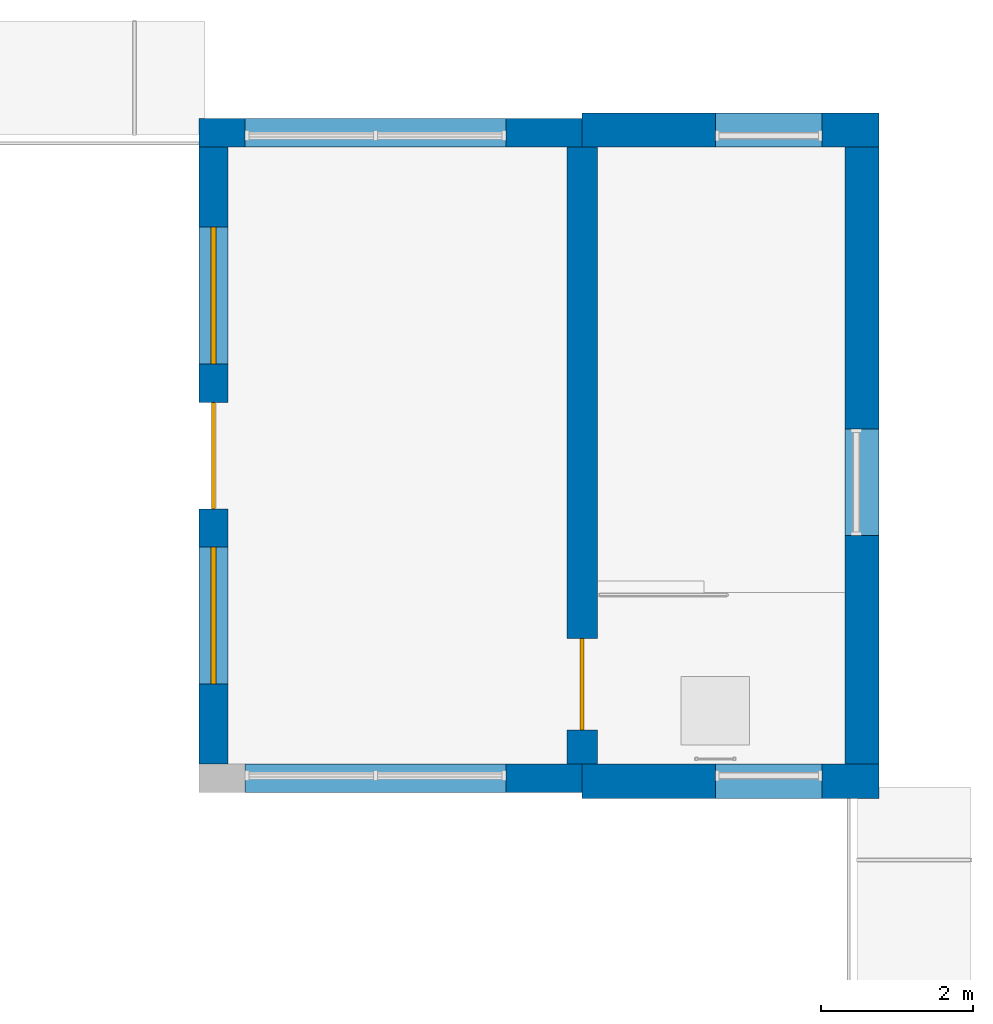
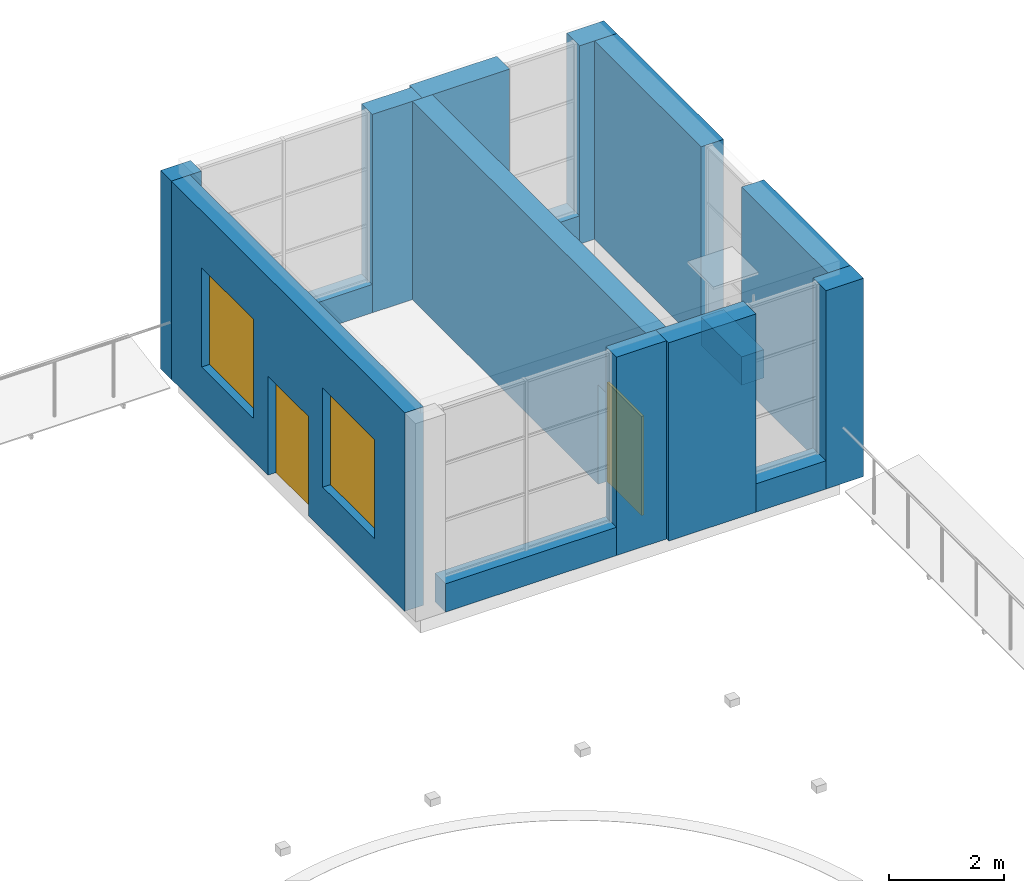
# One storey, part 50 of 66: 16 walls, 2 doors, 2 windows, 4 openings.
"""IFC4 building model written with IfcOpenShell, lengths in metres."""

from ifc_helpers import new_model, si_unit, direction, frame, frame_2d, origin, place, context, subcontext, project, spatial, rectangle, extrude, material, layer, layer_set, type_object, element, fill, save


model = new_model("IFC4")

# Units and contexts
model_context = context("Model", 3, precision=1e-05, world=origin(), true_north=direction((0.0, 1.0)))
body_context = subcontext(model_context, "Body", "Model", "MODEL_VIEW")
ifc_project = project(units=[si_unit("LENGTHUNIT", "METRE"), si_unit("AREAUNIT", "SQUARE_METRE"), si_unit("VOLUMEUNIT", "CUBIC_METRE"), si_unit("PLANEANGLEUNIT", "RADIAN"), si_unit("MASSUNIT", "GRAM", prefix="KILO")], contexts=[model_context])

# Site, building, storey
site_placement = place(None, origin())
site = spatial("IfcSite", under=ifc_project, at=site_placement, CompositionType="ELEMENT")
building_placement = place(site_placement, origin())
building = spatial("IfcBuilding", under=site, at=building_placement, Name="Yavir Park General Hospital", CompositionType="ELEMENT")
storey_placement = place(building_placement, frame((0.0, 0.0, 8.39990234375)))
storey = spatial("IfcBuildingStorey", under=building, at=storey_placement, Name="L02", CompositionType="ELEMENT", Elevation=8.39990234375)

# Walls
ifc_material_1 = material(Name="Autoclaved aerated block, 150 mm mineral wool and sand-coloured mineral render")
ifc_layer_1 = layer(ifc_material_1, 0.375)
ifc_layer_set_1 = layer_set([ifc_layer_1], Name="Autoclaved aerated block, 150 mm mineral wool and sand-coloured mineral render")
wall_type_1 = type_object("IfcWallType", Name="Mineral render clinical wall 375, E 30", PredefinedType="SOLIDWALL", material=ifc_layer_set_1)
wall_1_placement = place(storey_placement, frame((163.39990234375, 109.16259765625, 0.0), z_axis=(0.0, 0.0, 1.0), x_axis=(1.0, 0.0, 0.0)))
element("IfcWall", 1, at=wall_1_placement, inside=storey, type_object=wall_type_1, Name="XW1 L02-089", PredefinedType="SOLIDWALL", context=body_context, shape_type="SweptSolid", body=[
    extrude(rectangle(XDim=1.0, YDim=0.375, at=frame_2d((0.5, 0.0))), origin(), (0.0, 0.0, 1.0), 4.2001953125),
])
wall_2_placement = place(storey_placement, frame((159.97509765625, 109.16259765625, 0.0), z_axis=(0.0, 0.0, 1.0), x_axis=(1.0, 0.0, 0.0)))
element("IfcWall", 2, at=wall_2_placement, inside=storey, type_object=wall_type_1, Name="XW1 L02-090", PredefinedType="SOLIDWALL", context=body_context, shape_type="SweptSolid", body=[
    extrude(rectangle(XDim=3.4248046875, YDim=0.375, at=frame_2d((1.71240234375, 0.0))), origin(), (0.0, 0.0, 1.0), 0.60009765625),
])
wall_3_placement = place(storey_placement, frame((159.375, 117.637451171875, 0.0), z_axis=(0.0, 0.0, 1.0), x_axis=(1.0, 0.0, 0.0)))
element("IfcWall", 3, at=wall_3_placement, inside=storey, type_object=wall_type_1, Name="XW1 L02-105", PredefinedType="SOLIDWALL", context=body_context, shape_type="SweptSolid", body=[
    extrude(rectangle(XDim=0.60009765625, YDim=0.375, at=frame_2d((0.300048828125, 0.0))), origin(), (0.0, 0.0, 1.0), 4.2001953125),
])
wall_4_placement = place(storey_placement, frame((163.39990234375, 117.637451171875, 0.0), z_axis=(0.0, 0.0, 1.0), x_axis=(1.0, 0.0, 0.0)))
element("IfcWall", 4, at=wall_4_placement, inside=storey, type_object=wall_type_1, Name="XW1 L02-106", PredefinedType="SOLIDWALL", context=body_context, shape_type="SweptSolid", body=[
    extrude(rectangle(XDim=1.0, YDim=0.375, at=frame_2d((0.5, 0.0))), origin(), (0.0, 0.0, 1.0), 4.2001953125),
])
wall_5_placement = place(storey_placement, frame((159.97509765625, 117.637451171875, 0.0), z_axis=(0.0, 0.0, 1.0), x_axis=(1.0, 0.0, 0.0)))
element("IfcWall", 5, at=wall_5_placement, inside=storey, type_object=wall_type_1, Name="XW1 L02-107", PredefinedType="SOLIDWALL", context=body_context, shape_type="SweptSolid", body=[
    extrude(rectangle(XDim=3.4248046875, YDim=0.375, at=frame_2d((1.71240234375, 0.0))), origin(), (0.0, 0.0, 1.0), 0.60009765625),
])

# Wall, openings, door, windows
wall_6_placement = place(storey_placement, frame((159.5625, 109.35009765625, 0.0), z_axis=(0.0, 0.0, 1.0), x_axis=(0.0, 1.0, 0.0)))
wall_6 = element("IfcWall", 6, at=wall_6_placement, inside=storey, type_object=wall_type_1, Name="XW1 L02-158", PredefinedType="SOLIDWALL", context=body_context, shape_type="SweptSolid", body=[
    extrude(rectangle(XDim=8.099853515625, YDim=0.375, at=frame_2d((4.0498046875, 0.0))), origin(), (0.0, 0.0, 1.0), 4.2001953125),
])
opening_1_placement = place(wall_6_placement, frame((1.050048828125, 0.0, 0.89990234375)))
opening_1 = element("IfcOpeningElement", 7, at=opening_1_placement, cuts=wall_6, Name="Opening WG2", PredefinedType="OPENING", context=body_context, shape_type="SweptSolid", body=[
    extrude(rectangle(XDim=1.800048828125, YDim=2.10009765625, at=frame_2d((0.89990234375, 1.050048828125))), frame((0.0, 0.197509765625, 0.0), z_axis=(0.0, -1.0, 0.0), x_axis=(1.0, 0.0, 0.0)), (0.0, 0.0, 1.0), 0.39501953125),
])
opening_2_placement = place(wall_6_placement, frame((5.25, 0.0, 0.89990234375)))
opening_2 = element("IfcOpeningElement", 8, at=opening_2_placement, cuts=wall_6, Name="Opening WG2", PredefinedType="OPENING", context=body_context, shape_type="SweptSolid", body=[
    extrude(rectangle(XDim=1.800048828125, YDim=2.10009765625, at=frame_2d((0.89990234375, 1.050048828125))), frame((0.0, 0.197509765625, 0.0), z_axis=(0.0, -1.0, 0.0), x_axis=(1.0, 0.0, 0.0)), (0.0, 0.0, 1.0), 0.39501953125),
])
opening_3_placement = place(wall_6_placement, frame((3.35009765625, 0.0, 0.0)))
opening_3 = element("IfcOpeningElement", 9, at=opening_3_placement, cuts=wall_6, Name="Opening L02.X02", PredefinedType="OPENING", context=body_context, shape_type="SweptSolid", body=[
    extrude(rectangle(XDim=1.39990234375, YDim=2.10009765625, at=frame_2d((0.699951171875, 1.050048828125))), frame((0.0, 0.197509765625, 0.0), z_axis=(0.0, -1.0, 0.0), x_axis=(1.0, 0.0, 0.0)), (0.0, 0.0, 1.0), 0.39501953125),
])
ifc_material_2 = material(Name="Steel frame, fire-resisting timber leaves", Category="steel")
door_type_1 = type_object("IfcDoorType", Name="Double fire door 1400 x 2100, EI 60", OperationType="DOUBLE_DOOR_SINGLE_SWING", PredefinedType="DOOR", material=ifc_material_2)
door_1_placement = place(opening_3_placement, origin())
door_1 = element("IfcDoor", 10, at=door_1_placement, inside=storey, type_object=door_type_1, Name="L02.X02", OperationType="SINGLE_SWING_LEFT", OverallHeight=2.10009765625, OverallWidth=1.39990234375, PredefinedType="DOOR", context=body_context, shape_type="SweptSolid", body=[
    extrude(rectangle(XDim=1.39990234375, YDim=2.10009765625, at=frame_2d((0.699951171875, 1.050048828125))), frame((0.0, 0.02490234375, 0.0), z_axis=(0.0, -1.0, 0.0), x_axis=(1.0, 0.0, 0.0)), (0.0, 0.0, 1.0), 0.050048828125),
])
fill(opening_3, door_1)
ifc_material_3 = material(Name="Aluminium frame, double glazed unit", Category="aluminium")
window_type = type_object("IfcWindowType", Name="Tall single-bay window 1800 x 2100", PartitioningType="DOUBLE_PANEL_VERTICAL", PredefinedType="WINDOW", material=ifc_material_3)
window_1_placement = place(opening_1_placement, origin())
window_1 = element("IfcWindow", 11, at=window_1_placement, inside=storey, type_object=window_type, Name="WG2 L02-068", OverallHeight=2.10009765625, OverallWidth=1.800048828125, PartitioningType="DOUBLE_PANEL_VERTICAL", PredefinedType="WINDOW", context=body_context, shape_type="SweptSolid", body=[
    extrude(rectangle(XDim=1.800048828125, YDim=2.10009765625, at=frame_2d((0.89990234375, 1.050048828125))), frame((0.0, 0.030029296875, 0.0), z_axis=(0.0, -1.0, 0.0), x_axis=(1.0, 0.0, 0.0)), (0.0, 0.0, 1.0), 0.06005859375),
])
fill(opening_1, window_1)
window_2_placement = place(opening_2_placement, origin())
window_2 = element("IfcWindow", 12, at=window_2_placement, inside=storey, type_object=window_type, Name="WG2 L02-069", OverallHeight=2.10009765625, OverallWidth=1.800048828125, PartitioningType="DOUBLE_PANEL_VERTICAL", PredefinedType="WINDOW", context=body_context, shape_type="SweptSolid", body=[
    extrude(rectangle(XDim=1.800048828125, YDim=2.10009765625, at=frame_2d((0.89990234375, 1.050048828125))), frame((0.0, 0.030029296875, 0.0), z_axis=(0.0, -1.0, 0.0), x_axis=(1.0, 0.0, 0.0)), (0.0, 0.0, 1.0), 0.06005859375),
])
fill(opening_2, window_2)

# Wall, opening, door
ifc_material_4 = material(Name="Concrete C35/45", Category="concrete")
ifc_layer_2 = layer(ifc_material_4, 0.39990234375)
ifc_layer_set_2 = layer_set([ifc_layer_2], Name="Concrete C35/45")
wall_type_2 = type_object("IfcWallType", Name="Reinforced concrete core wall 400, REI 150", PredefinedType="SHEAR", material=ifc_layer_set_2)
wall_7_placement = place(storey_placement, frame((164.39990234375, 109.35009765625, 0.0), z_axis=(0.0, 0.0, 1.0), x_axis=(0.0, 1.0, 0.0)))
wall_7 = element("IfcWall", 13, at=wall_7_placement, inside=storey, type_object=wall_type_2, Name="CW40 L02-344", PredefinedType="SHEAR", context=body_context, shape_type="SweptSolid", body=[
    extrude(rectangle(XDim=8.099853515625, YDim=0.39990234375, at=frame_2d((4.0498046875, 0.0))), origin(), (0.0, 0.0, 1.0), 4.2001953125),
])
opening_4_placement = place(wall_7_placement, frame((0.449951171875, 0.0, 0.0)))
opening_4 = element("IfcOpeningElement", 14, at=opening_4_placement, cuts=wall_7, Name="Opening L02.D193", PredefinedType="OPENING", context=body_context, shape_type="SweptSolid", body=[
    extrude(rectangle(XDim=1.199951171875, YDim=2.10009765625, at=frame_2d((0.60009765625, 1.050048828125))), frame((0.0, 0.2099609375, 0.0), z_axis=(0.0, -1.0, 0.0), x_axis=(1.0, 0.0, 0.0)), (0.0, 0.0, 1.0), 0.419921875),
])
ifc_material_5 = material(Name="Steel frame, fire-resisting timber leaf", Category="steel")
door_type_2 = type_object("IfcDoorType", Name="Fire door 1200 x 2100, EI 60", OperationType="SINGLE_SWING_LEFT", PredefinedType="DOOR", material=ifc_material_5)
door_2_placement = place(opening_4_placement, origin())
door_2 = element("IfcDoor", 15, at=door_2_placement, inside=storey, type_object=door_type_2, Name="L02.D193", OperationType="SINGLE_SWING_LEFT", OverallHeight=2.10009765625, OverallWidth=1.199951171875, PredefinedType="DOOR", context=body_context, shape_type="SweptSolid", body=[
    extrude(rectangle(XDim=1.199951171875, YDim=2.10009765625, at=frame_2d((0.60009765625, 1.050048828125))), frame((0.0, 0.02490234375, 0.0), z_axis=(0.0, -1.0, 0.0), x_axis=(1.0, 0.0, 0.0)), (0.0, 0.0, 1.0), 0.050048828125),
])
fill(opening_4, door_2)

# Walls
ifc_material_6 = material(Name="Concrete C30/37 precast panel with 150 mm mineral wool insulation", Category="concrete")
ifc_layer_3 = layer(ifc_material_6, 0.449951171875)
ifc_layer_set_3 = layer_set([ifc_layer_3], Name="Concrete C30/37 precast panel with 150 mm mineral wool insulation")
wall_type_3 = type_object("IfcWallType", Name="Stair enclosure wall 450, REI 150", PredefinedType="SOLIDWALL", material=ifc_layer_set_3)
wall_8_placement = place(storey_placement, frame((164.39990234375, 109.125, 0.0), z_axis=(0.0, 0.0, 1.0), x_axis=(1.0, 0.0, 0.0)))
element("IfcWall", 16, at=wall_8_placement, inside=storey, type_object=wall_type_3, Name="XW6 L02-091", PredefinedType="SOLIDWALL", context=body_context, shape_type="SweptSolid", body=[
    extrude(rectangle(XDim=1.75, YDim=0.449951171875, at=frame_2d((0.875, 0.0))), origin(), (0.0, 0.0, 1.0), 4.2001953125),
])
wall_9_placement = place(storey_placement, frame((167.550048828125, 109.125, 0.0), z_axis=(0.0, 0.0, 1.0), x_axis=(1.0, 0.0, 0.0)))
element("IfcWall", 17, at=wall_9_placement, inside=storey, type_object=wall_type_3, Name="XW6 L02-092", PredefinedType="SOLIDWALL", context=body_context, shape_type="SweptSolid", body=[
    extrude(rectangle(XDim=0.75, YDim=0.449951171875, at=frame_2d((0.375, 0.0))), origin(), (0.0, 0.0, 1.0), 4.2001953125),
])
wall_10_placement = place(storey_placement, frame((166.14990234375, 109.125, 0.0), z_axis=(0.0, 0.0, 1.0), x_axis=(1.0, 0.0, 0.0)))
element("IfcWall", 18, at=wall_10_placement, inside=storey, type_object=wall_type_3, Name="XW6 L02-093", PredefinedType="SOLIDWALL", context=body_context, shape_type="SweptSolid", body=[
    extrude(rectangle(XDim=1.400146484375, YDim=0.449951171875, at=frame_2d((0.7001953125, 0.0))), origin(), (0.0, 0.0, 1.0), 0.60009765625),
])
wall_11_placement = place(storey_placement, frame((164.39990234375, 117.675048828125, 0.0), z_axis=(0.0, 0.0, 1.0), x_axis=(1.0, 0.0, 0.0)))
element("IfcWall", 19, at=wall_11_placement, inside=storey, type_object=wall_type_3, Name="XW6 L02-108", PredefinedType="SOLIDWALL", context=body_context, shape_type="SweptSolid", body=[
    extrude(rectangle(XDim=1.75, YDim=0.449951171875, at=frame_2d((0.875, 0.0))), origin(), (0.0, 0.0, 1.0), 4.2001953125),
])
wall_12_placement = place(storey_placement, frame((167.550048828125, 117.675048828125, 0.0), z_axis=(0.0, 0.0, 1.0), x_axis=(1.0, 0.0, 0.0)))
element("IfcWall", 20, at=wall_12_placement, inside=storey, type_object=wall_type_3, Name="XW6 L02-109", PredefinedType="SOLIDWALL", context=body_context, shape_type="SweptSolid", body=[
    extrude(rectangle(XDim=0.75, YDim=0.449951171875, at=frame_2d((0.375, 0.0))), origin(), (0.0, 0.0, 1.0), 4.2001953125),
])
wall_13_placement = place(storey_placement, frame((166.14990234375, 117.675048828125, 0.0), z_axis=(0.0, 0.0, 1.0), x_axis=(1.0, 0.0, 0.0)))
element("IfcWall", 21, at=wall_13_placement, inside=storey, type_object=wall_type_3, Name="XW6 L02-110", PredefinedType="SOLIDWALL", context=body_context, shape_type="SweptSolid", body=[
    extrude(rectangle(XDim=1.400146484375, YDim=0.449951171875, at=frame_2d((0.7001953125, 0.0))), origin(), (0.0, 0.0, 1.0), 0.60009765625),
])
wall_14_placement = place(storey_placement, frame((168.074951171875, 109.35009765625, 0.0), z_axis=(0.0, 0.0, 1.0), x_axis=(0.0, 1.0, 0.0)))
element("IfcWall", 22, at=wall_14_placement, inside=storey, type_object=wall_type_3, Name="XW6 L02-171", PredefinedType="SOLIDWALL", context=body_context, shape_type="SweptSolid", body=[
    extrude(rectangle(XDim=3.0, YDim=0.449951171875, at=frame_2d((1.5, 0.0))), origin(), (0.0, 0.0, 1.0), 4.2001953125),
])
wall_15_placement = place(storey_placement, frame((168.074951171875, 113.75, 0.0), z_axis=(0.0, 0.0, 1.0), x_axis=(0.0, 1.0, 0.0)))
element("IfcWall", 23, at=wall_15_placement, inside=storey, type_object=wall_type_3, Name="XW6 L02-172", PredefinedType="SOLIDWALL", context=body_context, shape_type="SweptSolid", body=[
    extrude(rectangle(XDim=3.699951171875, YDim=0.449951171875, at=frame_2d((1.85009765625, 0.0))), origin(), (0.0, 0.0, 1.0), 4.2001953125),
])
wall_16_placement = place(storey_placement, frame((168.074951171875, 112.35009765625, 0.0), z_axis=(0.0, 0.0, 1.0), x_axis=(0.0, 1.0, 0.0)))
element("IfcWall", 24, at=wall_16_placement, inside=storey, type_object=wall_type_3, Name="XW6 L02-173", PredefinedType="SOLIDWALL", context=body_context, shape_type="SweptSolid", body=[
    extrude(rectangle(XDim=1.39990234375, YDim=0.449951171875, at=frame_2d((0.699951171875, 0.0))), origin(), (0.0, 0.0, 1.0), 0.60009765625),
])

save(model, "model.ifc")
